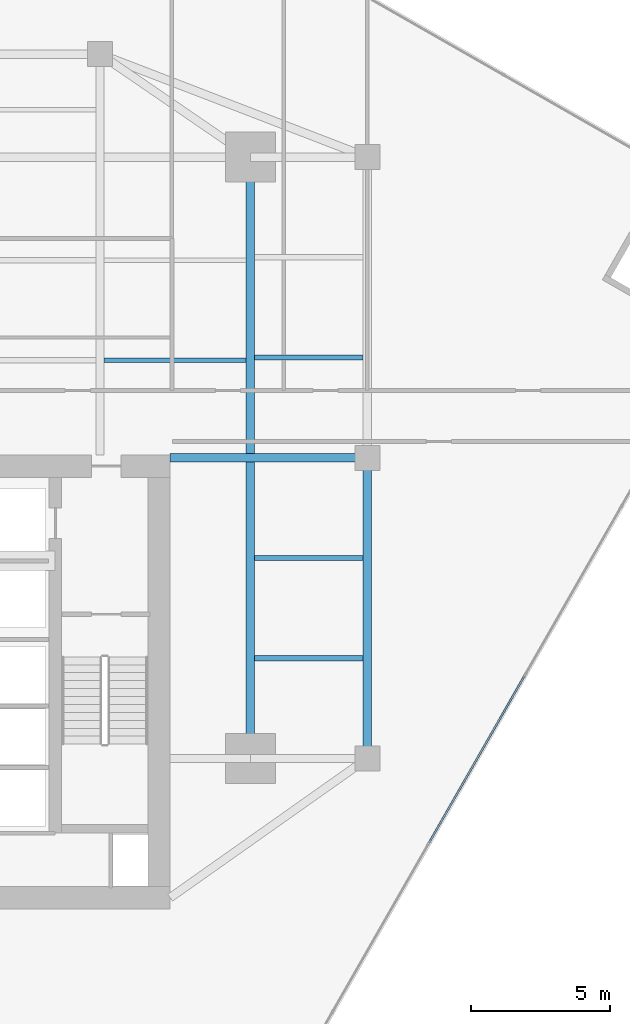
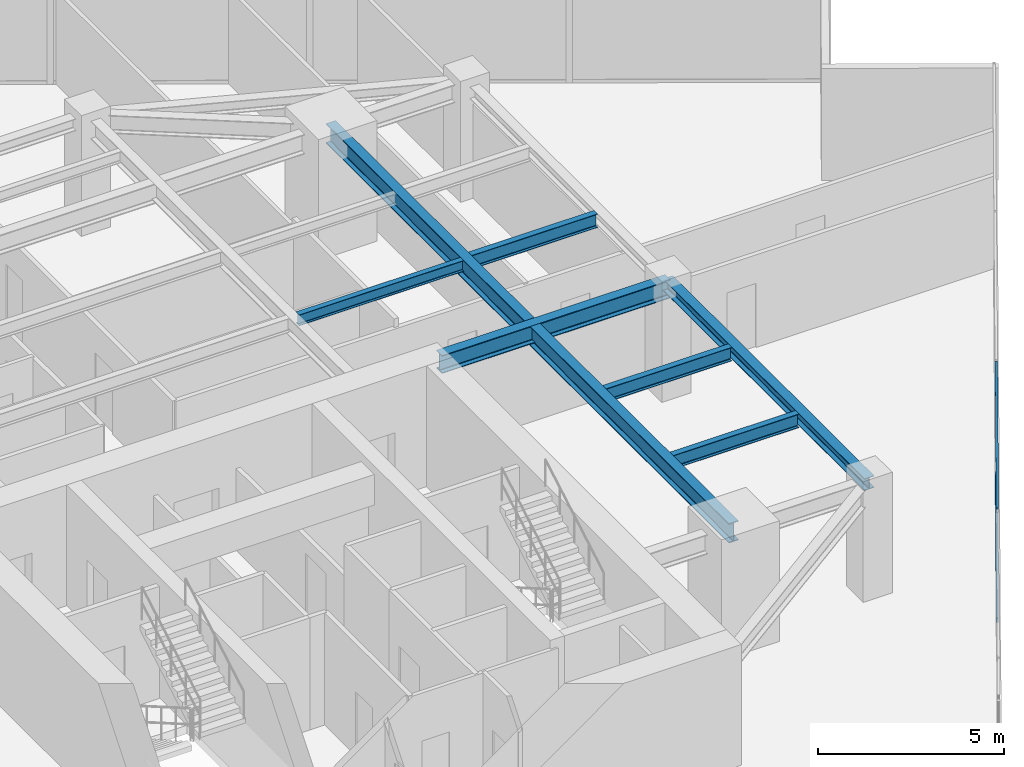
# One storey, part 10 of 24: 7 beams, 2 members, 1 element without a shape of its own.
"""IFC4 building model written with IfcOpenShell, lengths in metres."""

from ifc_helpers import new_model, si_unit, direction, frame, origin, origin_2d, place, context, subcontext, project, spatial, hollow_rectangle, i_section, extrude, source, transform, mapped, material, material_profile, profile_set, type_object, type_shapes, element, aggregate, save


model = new_model("IFC4")

# Units and contexts
model_context = context("Model", 3, precision=1e-05, world=origin(), true_north=direction((0.0, 1.0)))
body_context = subcontext(model_context, "Body", "Model", "MODEL_VIEW")
ifc_project = project(units=[si_unit("LENGTHUNIT", "METRE"), si_unit("AREAUNIT", "SQUARE_METRE"), si_unit("VOLUMEUNIT", "CUBIC_METRE"), si_unit("PLANEANGLEUNIT", "RADIAN"), si_unit("MASSUNIT", "GRAM", prefix="KILO")], contexts=[model_context])

# Site, building, storey
site_placement = place(None, origin())
site = spatial("IfcSite", under=ifc_project, at=site_placement, CompositionType="ELEMENT")
building_placement = place(site_placement, origin())
building = spatial("IfcBuilding", under=site, at=building_placement, Name="Krantzveldt Concourse Tower", CompositionType="ELEMENT")
storey_placement = place(building_placement, frame((0.0, 0.0, 169.89990234375)))
storey = spatial("IfcBuildingStorey", under=building, at=storey_placement, Name="L41", CompositionType="ELEMENT", Elevation=169.89990234375)

# Beams
ifc_material_1 = material(Name="Steel S355JR", Category="steel")
ifc_material_profile_1 = material_profile(ifc_material_1, i_section(OverallWidth=0.300048828125, OverallDepth=0.639892578125, WebThickness=0.013427734375, FlangeThickness=0.02587890625, FilletRadius=0.027099609375, at=origin_2d()), Name="Steel S355JR", Category="steel")
ifc_profile_set_1 = profile_set([ifc_material_profile_1], Name="Steel S355JR - HEA 650")
beam_type_1 = type_object("IfcBeamType", Name="BM-B-HEA650", PredefinedType="BEAM", material=ifc_profile_set_1)
shared_shape_1 = source(origin(), body_context, "Body", "SweptSolid", [
    extrude(i_section(OverallWidth=0.300048828125, OverallDepth=0.639892578125, WebThickness=0.013427734375, FlangeThickness=0.02587890625, FilletRadius=0.027099609375, at=origin_2d()), origin(), (0.0, 0.0, 1.0), 21.60009765625),
])
type_shapes(beam_type_1, [shared_shape_1])
beam_1_placement = place(storey_placement, frame((46.800048828125, 15.89990234375, 3.35009765625), z_axis=(0.0, 1.0, 0.0), x_axis=(-1.0, 0.0, 0.0)))
element("IfcBeam", 1, at=beam_1_placement, inside=storey, type_object=beam_type_1, Name="L41 Tower Girder BG-ME", PredefinedType="BEAM", context=body_context, shape_type="MappedRepresentation", body=[
    mapped(shared_shape_1, transform((0.0, 0.0, 0.0), x_axis=(1.0, 0.0, 0.0), y_axis=(0.0, 1.0, 0.0), z_axis=(0.0, 0.0, 1.0), scale=1.0)),
])
ifc_material_profile_2 = material_profile(ifc_material_1, i_section(OverallWidth=0.300048828125, OverallDepth=0.590087890625, WebThickness=0.012939453125, FlangeThickness=0.02490234375, FilletRadius=0.027099609375, at=origin_2d()), Name="Steel S355JR", Category="steel")
ifc_profile_set_2 = profile_set([ifc_material_profile_2], Name="Steel S355JR - HEA 600")
beam_type_2 = type_object("IfcBeamType", Name="BM-B-HEA600", PredefinedType="BEAM", material=ifc_profile_set_2)
shared_shape_2 = source(origin(), body_context, "Body", "SweptSolid", [
    extrude(i_section(OverallWidth=0.300048828125, OverallDepth=0.590087890625, WebThickness=0.012939453125, FlangeThickness=0.02490234375, FilletRadius=0.027099609375, at=origin_2d()), origin(), (0.0, 0.0, 1.0), 7.080078125),
])
type_shapes(beam_type_2, [shared_shape_2])
beam_2_placement = place(storey_placement, frame((43.919921875, 26.699951171875, 3.375), z_axis=(1.0, 0.0, 0.0), x_axis=(0.0, 1.0, 0.0)))
element("IfcBeam", 2, at=beam_2_placement, inside=storey, type_object=beam_type_2, Name="L41 Tower Girder BG-CE2", PredefinedType="BEAM", context=body_context, shape_type="MappedRepresentation", body=[
    mapped(shared_shape_2, transform((0.0, 0.0, 0.0), x_axis=(1.0, 0.0, 0.0), y_axis=(0.0, 1.0, 0.0), z_axis=(0.0, 0.0, 1.0), scale=1.0)),
])
ifc_material_profile_3 = material_profile(ifc_material_1, i_section(OverallWidth=0.300048828125, OverallDepth=0.389892578125, WebThickness=0.010986328125, FlangeThickness=0.01904296875, FilletRadius=0.027099609375, at=origin_2d()), Name="Steel S355JR", Category="steel")
ifc_profile_set_3 = profile_set([ifc_material_profile_3], Name="Steel S355JR - HEA 400")
beam_type_3 = type_object("IfcBeamType", Name="BM-SP-HEA400", PredefinedType="SPANDREL", material=ifc_profile_set_3)
shared_shape_3 = source(origin(), body_context, "Body", "SweptSolid", [
    extrude(i_section(OverallWidth=0.300048828125, OverallDepth=0.389892578125, WebThickness=0.010986328125, FlangeThickness=0.01904296875, FilletRadius=0.027099609375, at=origin_2d()), origin(), (0.0, 0.0, 1.0), 10.800048828125),
])
type_shapes(beam_type_3, [shared_shape_3])
beam_3_placement = place(storey_placement, frame((51.0, 26.699951171875, 3.47509765625), z_axis=(0.0, -1.0, 0.0), x_axis=(1.0, 0.0, 0.0)))
element("IfcBeam", 3, at=beam_3_placement, inside=storey, type_object=beam_type_3, Name="L41 Tower Girder SP-R07", PredefinedType="SPANDREL", context=body_context, shape_type="MappedRepresentation", body=[
    mapped(shared_shape_3, transform((0.0, 0.0, 0.0), x_axis=(1.0, 0.0, 0.0), y_axis=(0.0, 1.0, 0.0), z_axis=(0.0, 0.0, 1.0), scale=1.0)),
])
ifc_material_profile_4 = material_profile(ifc_material_1, i_section(OverallWidth=0.169921875, OverallDepth=0.360107421875, WebThickness=0.008056640625, FlangeThickness=0.0126953125, FilletRadius=0.01806640625, at=origin_2d()), Name="Steel S355JR", Category="steel")
ifc_profile_set_4 = profile_set([ifc_material_profile_4], Name="Steel S355JR - IPE 360")
beam_type_4 = type_object("IfcBeamType", Name="BM-J-IPE360", PredefinedType="JOIST", material=ifc_profile_set_4)
shared_shape_4 = source(origin(), body_context, "Body", "SweptSolid", [
    extrude(i_section(OverallWidth=0.169921875, OverallDepth=0.360107421875, WebThickness=0.008056640625, FlangeThickness=0.0126953125, FilletRadius=0.01806640625, at=origin_2d()), origin(), (0.0, 0.0, 1.0), 5.099853515625),
])
type_shapes(beam_type_4, [shared_shape_4])
beam_4_placement = place(storey_placement, frame((41.550048828125, 30.199951171875, 3.489990234375), z_axis=(1.0, 0.0, 0.0), x_axis=(0.0, 1.0, 0.0)))
element("IfcBeam", 4, at=beam_4_placement, inside=storey, type_object=beam_type_4, Name="L41 Secondary Floor Joist JN-E1", PredefinedType="JOIST", context=body_context, shape_type="MappedRepresentation", body=[
    mapped(shared_shape_4, transform((0.0, 0.0, 0.0), x_axis=(1.0, 0.0, 0.0), y_axis=(0.0, 1.0, 0.0), z_axis=(0.0, 0.0, 1.0), scale=1.0)),
])
ifc_material_profile_5 = material_profile(ifc_material_1, i_section(OverallWidth=0.18994140625, OverallDepth=0.449951171875, WebThickness=0.009521484375, FlangeThickness=0.0146484375, FilletRadius=0.02099609375, at=origin_2d()), Name="Steel S355JR", Category="steel")
ifc_profile_set_5 = profile_set([ifc_material_profile_5], Name="Steel S355JR - IPE 450")
beam_type_5 = type_object("IfcBeamType", Name="BM-J-IPE450", PredefinedType="JOIST", material=ifc_profile_set_5)
shared_shape_5 = source(origin(), body_context, "Body", "SweptSolid", [
    extrude(i_section(OverallWidth=0.18994140625, OverallDepth=0.449951171875, WebThickness=0.009521484375, FlangeThickness=0.0146484375, FilletRadius=0.02099609375, at=origin_2d()), origin(), (0.0, 0.0, 1.0), 3.900146484375),
])
type_shapes(beam_type_5, [shared_shape_5])
for number, where, z_axis, x_axis, name in (
    (5, (46.949951171875, 19.5, 3.445068359375), (1.0, 0.0, 0.0), (0.0, 1.0, 0.0), "L41 Secondary Floor Joist JE-1"),
    (6, (46.949951171875, 23.10009765625, 3.445068359375), (1.0, 0.0, 0.0), (0.0, 1.0, 0.0), "L41 Secondary Floor Joist JE-2"),
    (7, (46.949951171875, 30.300048828125, 3.445068359375), (1.0, 0.0, 0.0), (0.0, 1.0, 0.0), "L41 Secondary Floor Joist JE-3"),
):
    element("IfcBeam", number, at=place(storey_placement, frame(where, z_axis=z_axis, x_axis=x_axis)), inside=storey, type_object=beam_type_5, Name=name, PredefinedType="JOIST", context=body_context, shape_type="MappedRepresentation", body=[
        mapped(shared_shape_5, transform((0.0, 0.0, 0.0), x_axis=(1.0, 0.0, 0.0), y_axis=(0.0, 1.0, 0.0), z_axis=(0.0, 0.0, 1.0), scale=1.0)),
    ])

# Curtain wall, members
ifc_material_2 = material(Name="Anodised aluminium 6063-T6", Category="aluminium")
curtain_wall_type = type_object("IfcCurtainWallType", Name="CW3", PredefinedType="USERDEFINED", material=ifc_material_2)
curtain_wall_placement = place(storey_placement, origin())
curtain_wall = element("IfcCurtainWall", 8, at=curtain_wall_placement, inside=storey, type_object=curtain_wall_type, Name="CW-L41-F11", ObjectType="UNITISED CURTAIN WALL", PredefinedType="USERDEFINED")
ifc_material_profile_6 = material_profile(ifc_material_2, hollow_rectangle(XDim=0.070068359375, YDim=0.139892578125, WallThickness=0.0048828125, at=origin_2d()), Name="Anodised aluminium 6063-T6", Category="aluminium")
ifc_profile_set_6 = profile_set([ifc_material_profile_6], Name="Anodised aluminium 6063-T6 - ALU-TRAN 140x70x5")
member_type = type_object("IfcMemberType", Name="CW-TRN-150", PredefinedType="USERDEFINED", material=ifc_profile_set_6)
shared_shape_6 = source(origin(), body_context, "Body", "SweptSolid", [
    extrude(hollow_rectangle(XDim=0.070068359375, YDim=0.139892578125, WallThickness=0.0048828125, at=origin_2d()), origin(), (0.0, 0.0, 1.0), 6.89013671875),
])
type_shapes(member_type, [shared_shape_6])
member_1_placement = place(storey_placement, frame((53.225830078125, 12.886474609375, 0.03515625), z_axis=(0.496215255443, 0.868199527911, 0.0), x_axis=(-0.868199527911, 0.496215255443, 0.0)))
member_1 = element("IfcMember", 9, at=member_1_placement, type_object=member_type, Name="CW-Z34 transom 3.1", ObjectType="TRANSOM", PredefinedType="USERDEFINED", context=body_context, shape_type="MappedRepresentation", body=[
    mapped(shared_shape_6, transform((0.0, 0.0, 0.0), x_axis=(1.0, 0.0, 0.0), y_axis=(0.0, 1.0, 0.0), z_axis=(0.0, 0.0, 1.0), scale=1.0)),
])
member_2_placement = place(storey_placement, frame((53.225830078125, 12.886474609375, 3.635009765625), z_axis=(0.496215255443, 0.868199527911, 0.0), x_axis=(-0.868199527911, 0.496215255443, 0.0)))
member_2 = element("IfcMember", 10, at=member_2_placement, type_object=member_type, Name="CW-Z34 transom 3.2", ObjectType="TRANSOM", PredefinedType="USERDEFINED", context=body_context, shape_type="MappedRepresentation", body=[
    mapped(shared_shape_6, transform((0.0, 0.0, 0.0), x_axis=(1.0, 0.0, 0.0), y_axis=(0.0, 1.0, 0.0), z_axis=(0.0, 0.0, 1.0), scale=1.0)),
])
aggregate(curtain_wall, [member_1, member_2])

save(model, "model.ifc")
